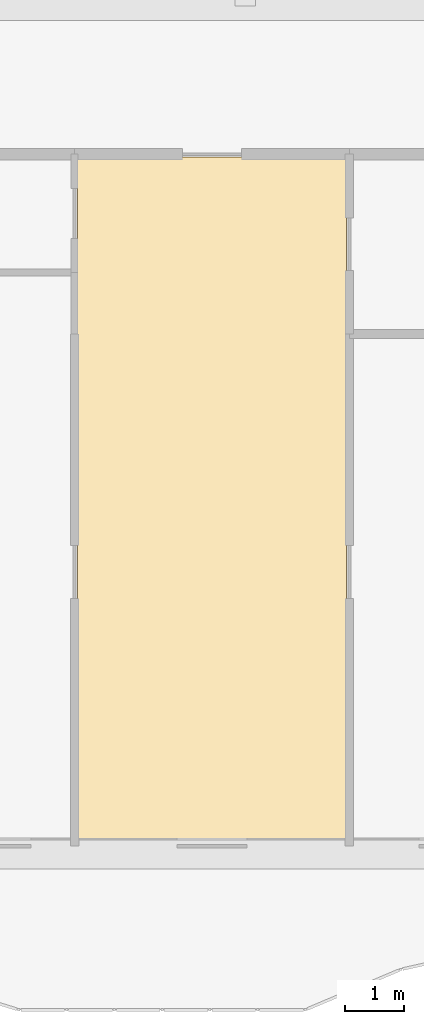
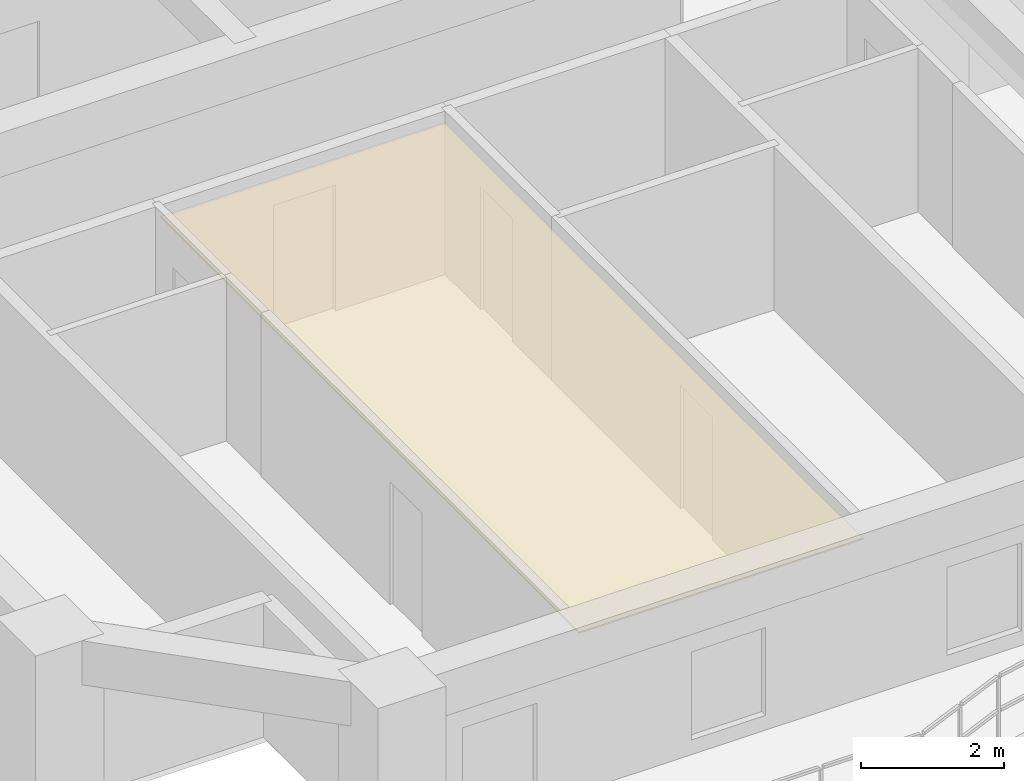
# One storey, part 11 of 18: 1 covering.
"""IFC4 building model written with IfcOpenShell, lengths in metres."""

from ifc_helpers import new_model, si_unit, direction, frame, origin, place, context, subcontext, project, spatial, polyline, outline, extrude, material, layer, layer_set, type_object, element, save


model = new_model("IFC4")

# Units and contexts
model_context = context("Model", 3, precision=1e-05, world=origin(), true_north=direction((0.0, 1.0)))
body_context = subcontext(model_context, "Body", "Model", "MODEL_VIEW")
ifc_project = project(units=[si_unit("LENGTHUNIT", "METRE"), si_unit("AREAUNIT", "SQUARE_METRE"), si_unit("VOLUMEUNIT", "CUBIC_METRE"), si_unit("PLANEANGLEUNIT", "RADIAN"), si_unit("MASSUNIT", "GRAM", prefix="KILO")], contexts=[model_context])

# Site, building, storey
site_placement = place(None, origin())
site = spatial("IfcSite", under=ifc_project, at=site_placement, CompositionType="ELEMENT")
building_placement = place(site_placement, origin())
building = spatial("IfcBuilding", under=site, at=building_placement, Name="Saelheon Loggia Tower", CompositionType="ELEMENT")
storey_placement = place(building_placement, frame((0.0, 0.0, 40.39990234375)))
storey = spatial("IfcBuildingStorey", under=building, at=storey_placement, Name="L12", CompositionType="ELEMENT", Elevation=40.39990234375)

# Covering
ifc_material = material(Name="Mineral-Fibre Acoustic Ceiling Board", Category="gypsum")
ifc_layer = layer(ifc_material, 0.02490234375)
ifc_layer_set = layer_set([ifc_layer], Name="Mineral-Fibre Acoustic Ceiling Board")
covering_type = type_object("IfcCoveringType", Name="Cov_Ceiling_Acoustic", PredefinedType="CEILING", material=ifc_layer_set)
covering_placement = place(storey_placement, frame((0.0, 0.0, 2.53515625)))
element("IfcCovering", 1, at=covering_placement, inside=storey, type_object=covering_type, Name="L12 Acoustic Suspended Ceiling", PredefinedType="CEILING", context=body_context, shape_type="SweptSolid", body=[
    extrude(outline(polyline([(18.631591796875, 3.199951171875), (23.21875, 3.199951171875), (23.21875, 14.89990234375), (18.631591796875, 14.89990234375), (18.631591796875, 3.199951171875)])), origin(), (0.0, 0.0, 1.0), 0.02490234375),
])

save(model, "model.ifc")
